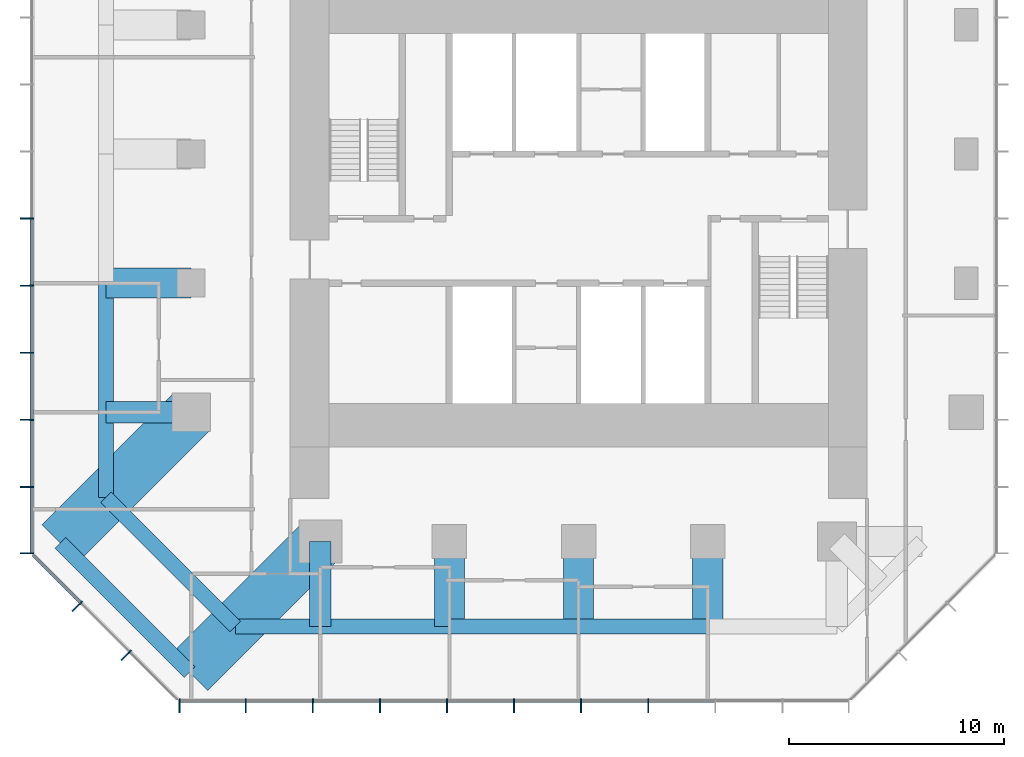
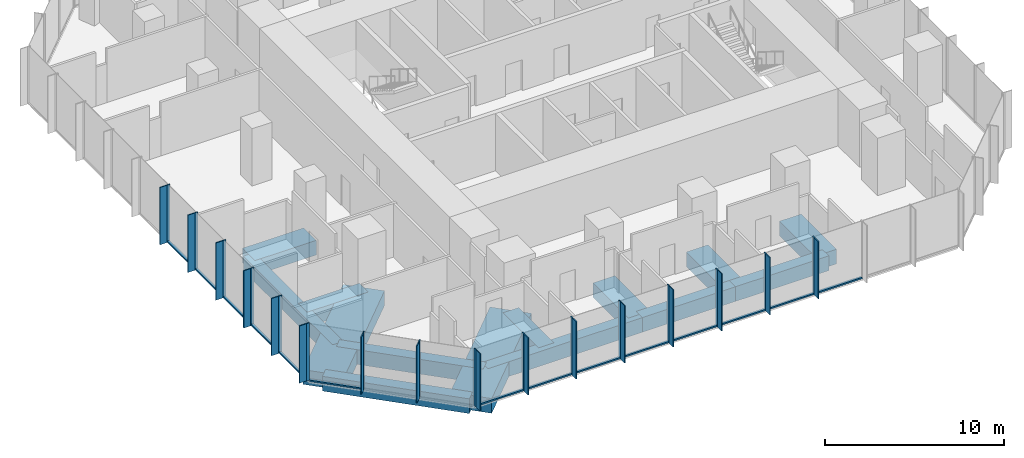
# One storey, part 2 of 11: 46 members, 14 beams, 3 elements without a shape of their own.
"""IFC4 building model written with IfcOpenShell, lengths in metres."""

from ifc_helpers import new_model, si_unit, direction, frame, origin, origin_2d, place, context, subcontext, project, spatial, rectangle, extrude, material, layer, layer_set, material_profile, profile_set, type_object, element, aggregate, save


model = new_model("IFC4")

# Units and contexts
model_context = context("Model", 3, precision=1e-05, world=origin(), true_north=direction((0.0, 1.0)))
body_context = subcontext(model_context, "Body", "Model", "MODEL_VIEW")
ifc_project = project(units=[si_unit("LENGTHUNIT", "METRE"), si_unit("AREAUNIT", "SQUARE_METRE"), si_unit("VOLUMEUNIT", "CUBIC_METRE"), si_unit("PLANEANGLEUNIT", "RADIAN"), si_unit("MASSUNIT", "GRAM", prefix="KILO")], contexts=[model_context])

# Site, building, storey
site_placement = place(None, origin())
site = spatial("IfcSite", under=ifc_project, at=site_placement, CompositionType="ELEMENT")
building_placement = place(site_placement, origin())
building = spatial("IfcBuilding", under=site, at=building_placement, Name="Highveld Stack Headquarters", CompositionType="ELEMENT")
storey_placement = place(building_placement, frame((0.0, 0.0, 224.0)))
storey = spatial("IfcBuildingStorey", under=building, at=storey_placement, Name="L55", CompositionType="ELEMENT", Elevation=224.0)

# Beams
ifc_material_1 = material(Name="Concrete C60/75", Category="concrete")
ifc_material_profile_1 = material_profile(ifc_material_1, rectangle(XDim=1.0, YDim=1.0, at=origin_2d()), Name="RC 1000x1000")
ifc_profile_set_1 = profile_set([ifc_material_profile_1], Name="Concrete C60/75")
beam_type_1 = type_object("IfcBeamType", Name="CANTILEVER RIB RC 1000x1000", PredefinedType="USERDEFINED", material=ifc_profile_set_1)
for number, where, z_axis, x_axis, name in (
    (1, (-12.0, -6.0, -0.75), (-1.0, 0.0, 0.0), (0.0, -1.0, 0.0), "Cantilever rib 4/D L55"),
    (2, (-6.0, -12.0, -0.75), (0.0, -1.0, 0.0), (1.0, 0.0, 0.0), "Cantilever rib 5/C L55"),
):
    element("IfcBeam", number, at=place(storey_placement, frame(where, z_axis=z_axis, x_axis=x_axis)), inside=storey, type_object=beam_type_1, Name=name, ObjectType="CANTILEVER RIB", PredefinedType="USERDEFINED", context=body_context, shape_type="SweptSolid", body=[
        extrude(rectangle(XDim=1.0, YDim=1.0, at=origin_2d()), origin(), (0.0, 0.0, 1.0), 3.949951171875),
    ])
ifc_material_2 = material(Name="Concrete C60/75", Category="concrete")
ifc_material_profile_2 = material_profile(ifc_material_2, rectangle(XDim=1.39990234375, YDim=1.0, at=origin_2d()), Name="RC 1400x1000")
ifc_profile_set_2 = profile_set([ifc_material_profile_2], Name="Concrete C60/75")
beam_type_2 = type_object("IfcBeamType", Name="CANTILEVER RIB RC 1400x1000", PredefinedType="USERDEFINED", material=ifc_profile_set_2)
for number, where, z_axis, x_axis, name in (
    (3, (-12.0, 0.0, -0.75), (-1.0, 0.0, 0.0), (0.0, -1.0, 0.0), "Cantilever rib 4/E L55"),
    (4, (0.0, -12.0, -0.75), (0.0, -1.0, 0.0), (1.0, 0.0, 0.0), "Cantilever rib 6/C L55"),
    (5, (6.0, -12.0, -0.75), (0.0, -1.0, 0.0), (1.0, 0.0, 0.0), "Cantilever rib 7/C L55"),
    (6, (12.0, -12.0, -0.75), (0.0, -1.0, 0.0), (1.0, 0.0, 0.0), "Cantilever rib 8/C L55"),
):
    element("IfcBeam", number, at=place(storey_placement, frame(where, z_axis=z_axis, x_axis=x_axis)), inside=storey, type_object=beam_type_2, Name=name, ObjectType="CANTILEVER RIB", PredefinedType="USERDEFINED", context=body_context, shape_type="SweptSolid", body=[
        extrude(rectangle(XDim=1.39990234375, YDim=1.0, at=origin_2d()), origin(), (0.0, 0.0, 1.0), 3.949951171875),
    ])
ifc_material_3 = material(Name="Concrete C60/75", Category="concrete")
ifc_material_profile_3 = material_profile(ifc_material_3, rectangle(XDim=2.39990234375, YDim=1.0, at=origin_2d()), Name="RC 2400x1000")
ifc_profile_set_3 = profile_set([ifc_material_profile_3], Name="Concrete C60/75")
beam_type_3 = type_object("IfcBeamType", Name="CANTILEVER RIB RC 2400x1000", PredefinedType="USERDEFINED", material=ifc_profile_set_3)
for number, where, z_axis, x_axis, name in (
    (7, (-12.0, -6.0, -0.75), (-0.707106781187, -0.707106781187, 0.0), (0.707106781187, -0.707106781187, 0.0), "Cantilever rib 4/D L55"),
    (8, (-6.0, -12.0, -0.75), (-0.707106781187, -0.707106781187, 0.0), (0.707106781187, -0.707106781187, 0.0), "Cantilever rib 5/C L55"),
):
    element("IfcBeam", number, at=place(storey_placement, frame(where, z_axis=z_axis, x_axis=x_axis)), inside=storey, type_object=beam_type_3, Name=name, ObjectType="CANTILEVER RIB", PredefinedType="USERDEFINED", context=body_context, shape_type="SweptSolid", body=[
        extrude(rectangle(XDim=2.39990234375, YDim=1.0, at=origin_2d()), origin(), (0.0, 0.0, 1.0), 8.585693359375),
    ])

# Curtain wall, members
ifc_material_4 = material(Name="Aluminium bronze anodised", Category="aluminium")
ifc_layer_1 = layer(ifc_material_4, 0.199951171875)
ifc_layer_set_1 = layer_set([ifc_layer_1], Name="Aluminium bronze anodised")
curtain_wall_type_1 = type_object("IfcCurtainWallType", Name="CW1 TOWER UNITISED CURTAIN WALL", PredefinedType="NOTDEFINED", material=ifc_layer_set_1)
curtain_wall_1_placement = place(storey_placement, origin())
curtain_wall_1 = element("IfcCurtainWall", 9, at=curtain_wall_1_placement, inside=storey, type_object=curtain_wall_type_1, Name="Curtain wall CW1 L55 S", PredefinedType="NOTDEFINED")
ifc_material_5 = material(Name="Aluminium bronze anodised", Category="aluminium")
ifc_material_profile_4 = material_profile(ifc_material_5, rectangle(XDim=0.449951171875, YDim=0.06005859375, at=origin_2d()), Name="FIN 450x60")
ifc_profile_set_4 = profile_set([ifc_material_profile_4], Name="Aluminium bronze anodised")
member_type_1 = type_object("IfcMemberType", Name="CW1 BRONZE FIN 450x60", PredefinedType="USERDEFINED", material=ifc_profile_set_4)
member_1_placement = place(storey_placement, frame((-12.54736328125, -19.72509765625, 0.0), z_axis=(0.0, 0.0, 1.0), x_axis=(0.0, 1.0, 0.0)))
member_1 = element("IfcMember", 10, at=member_1_placement, type_object=member_type_1, Name="CW1 fin L55 1", ObjectType="FIN", PredefinedType="USERDEFINED", context=body_context, shape_type="SweptSolid", body=[
    extrude(rectangle(XDim=0.449951171875, YDim=0.06005859375, at=origin_2d()), origin(), (0.0, 0.0, 1.0), 3.89990234375),
])
member_2_placement = place(storey_placement, frame((-9.4638671875, -19.72509765625, 0.0), z_axis=(0.0, 0.0, 1.0), x_axis=(0.0, 1.0, 0.0)))
member_2 = element("IfcMember", 11, at=member_2_placement, type_object=member_type_1, Name="CW1 fin L55 2", ObjectType="FIN", PredefinedType="USERDEFINED", context=body_context, shape_type="SweptSolid", body=[
    extrude(rectangle(XDim=0.449951171875, YDim=0.06005859375, at=origin_2d()), origin(), (0.0, 0.0, 1.0), 3.89990234375),
])
member_3_placement = place(storey_placement, frame((-6.347900390625, -19.72509765625, 0.0), z_axis=(0.0, 0.0, 1.0), x_axis=(0.0, 1.0, 0.0)))
member_3 = element("IfcMember", 12, at=member_3_placement, type_object=member_type_1, Name="CW1 fin L55 3", ObjectType="FIN", PredefinedType="USERDEFINED", context=body_context, shape_type="SweptSolid", body=[
    extrude(rectangle(XDim=0.449951171875, YDim=0.06005859375, at=origin_2d()), origin(), (0.0, 0.0, 1.0), 3.89990234375),
])
member_4_placement = place(storey_placement, frame((-3.23193359375, -19.72509765625, 0.0), z_axis=(0.0, 0.0, 1.0), x_axis=(0.0, 1.0, 0.0)))
member_4 = element("IfcMember", 13, at=member_4_placement, type_object=member_type_1, Name="CW1 fin L55 4", ObjectType="FIN", PredefinedType="USERDEFINED", context=body_context, shape_type="SweptSolid", body=[
    extrude(rectangle(XDim=0.449951171875, YDim=0.06005859375, at=origin_2d()), origin(), (0.0, 0.0, 1.0), 3.89990234375),
])
member_5_placement = place(storey_placement, frame((-0.115966796875, -19.72509765625, 0.0), z_axis=(0.0, 0.0, 1.0), x_axis=(0.0, 1.0, 0.0)))
member_5 = element("IfcMember", 14, at=member_5_placement, type_object=member_type_1, Name="CW1 fin L55 5", ObjectType="FIN", PredefinedType="USERDEFINED", context=body_context, shape_type="SweptSolid", body=[
    extrude(rectangle(XDim=0.449951171875, YDim=0.06005859375, at=origin_2d()), origin(), (0.0, 0.0, 1.0), 3.89990234375),
])
member_6_placement = place(storey_placement, frame((3.0, -19.72509765625, 0.0), z_axis=(0.0, 0.0, 1.0), x_axis=(0.0, 1.0, 0.0)))
member_6 = element("IfcMember", 15, at=member_6_placement, type_object=member_type_1, Name="CW1 fin L55 6", ObjectType="FIN", PredefinedType="USERDEFINED", context=body_context, shape_type="SweptSolid", body=[
    extrude(rectangle(XDim=0.449951171875, YDim=0.06005859375, at=origin_2d()), origin(), (0.0, 0.0, 1.0), 3.89990234375),
])
member_7_placement = place(storey_placement, frame((6.115966796875, -19.72509765625, 0.0), z_axis=(0.0, 0.0, 1.0), x_axis=(0.0, 1.0, 0.0)))
member_7 = element("IfcMember", 16, at=member_7_placement, type_object=member_type_1, Name="CW1 fin L55 7", ObjectType="FIN", PredefinedType="USERDEFINED", context=body_context, shape_type="SweptSolid", body=[
    extrude(rectangle(XDim=0.449951171875, YDim=0.06005859375, at=origin_2d()), origin(), (0.0, 0.0, 1.0), 3.89990234375),
])
member_8_placement = place(storey_placement, frame((9.23193359375, -19.72509765625, 0.0), z_axis=(0.0, 0.0, 1.0), x_axis=(0.0, 1.0, 0.0)))
member_8 = element("IfcMember", 17, at=member_8_placement, type_object=member_type_1, Name="CW1 fin L55 8", ObjectType="FIN", PredefinedType="USERDEFINED", context=body_context, shape_type="SweptSolid", body=[
    extrude(rectangle(XDim=0.449951171875, YDim=0.06005859375, at=origin_2d()), origin(), (0.0, 0.0, 1.0), 3.89990234375),
])

curtain_wall_2_placement = place(storey_placement, origin())
curtain_wall_2 = element("IfcCurtainWall", 18, at=curtain_wall_2_placement, inside=storey, type_object=curtain_wall_type_1, Name="Curtain wall CW1 L55 W", PredefinedType="NOTDEFINED")
member_9_placement = place(storey_placement, frame((-19.72509765625, 3.0, 0.0), z_axis=(0.0, 0.0, 1.0), x_axis=(1.0, 0.0, 0.0)))
member_9 = element("IfcMember", 19, at=member_9_placement, type_object=member_type_1, Name="CW1 fin L55 6", ObjectType="FIN", PredefinedType="USERDEFINED", context=body_context, shape_type="SweptSolid", body=[
    extrude(rectangle(XDim=0.449951171875, YDim=0.06005859375, at=origin_2d()), origin(), (0.0, 0.0, 1.0), 3.89990234375),
])
member_10_placement = place(storey_placement, frame((-19.72509765625, -0.115966796875, 0.0), z_axis=(0.0, 0.0, 1.0), x_axis=(1.0, 0.0, 0.0)))
member_10 = element("IfcMember", 20, at=member_10_placement, type_object=member_type_1, Name="CW1 fin L55 7", ObjectType="FIN", PredefinedType="USERDEFINED", context=body_context, shape_type="SweptSolid", body=[
    extrude(rectangle(XDim=0.449951171875, YDim=0.06005859375, at=origin_2d()), origin(), (0.0, 0.0, 1.0), 3.89990234375),
])
member_11_placement = place(storey_placement, frame((-19.72509765625, -3.23193359375, 0.0), z_axis=(0.0, 0.0, 1.0), x_axis=(1.0, 0.0, 0.0)))
member_11 = element("IfcMember", 21, at=member_11_placement, type_object=member_type_1, Name="CW1 fin L55 8", ObjectType="FIN", PredefinedType="USERDEFINED", context=body_context, shape_type="SweptSolid", body=[
    extrude(rectangle(XDim=0.449951171875, YDim=0.06005859375, at=origin_2d()), origin(), (0.0, 0.0, 1.0), 3.89990234375),
])
member_12_placement = place(storey_placement, frame((-19.72509765625, -6.347900390625, 0.0), z_axis=(0.0, 0.0, 1.0), x_axis=(1.0, 0.0, 0.0)))
member_12 = element("IfcMember", 22, at=member_12_placement, type_object=member_type_1, Name="CW1 fin L55 9", ObjectType="FIN", PredefinedType="USERDEFINED", context=body_context, shape_type="SweptSolid", body=[
    extrude(rectangle(XDim=0.449951171875, YDim=0.06005859375, at=origin_2d()), origin(), (0.0, 0.0, 1.0), 3.89990234375),
])
member_13_placement = place(storey_placement, frame((-19.72509765625, -9.4638671875, 0.0), z_axis=(0.0, 0.0, 1.0), x_axis=(1.0, 0.0, 0.0)))
member_13 = element("IfcMember", 23, at=member_13_placement, type_object=member_type_1, Name="CW1 fin L55 10", ObjectType="FIN", PredefinedType="USERDEFINED", context=body_context, shape_type="SweptSolid", body=[
    extrude(rectangle(XDim=0.449951171875, YDim=0.06005859375, at=origin_2d()), origin(), (0.0, 0.0, 1.0), 3.89990234375),
])
member_14_placement = place(storey_placement, frame((-19.72509765625, -12.54736328125, 0.0), z_axis=(0.0, 0.0, 1.0), x_axis=(1.0, 0.0, 0.0)))
member_14 = element("IfcMember", 24, at=member_14_placement, type_object=member_type_1, Name="CW1 fin L55 11", ObjectType="FIN", PredefinedType="USERDEFINED", context=body_context, shape_type="SweptSolid", body=[
    extrude(rectangle(XDim=0.449951171875, YDim=0.06005859375, at=origin_2d()), origin(), (0.0, 0.0, 1.0), 3.89990234375),
])

# Member
ifc_material_6 = material(Name="Aluminium bronze anodised", Category="aluminium")
ifc_material_profile_5 = material_profile(ifc_material_6, rectangle(XDim=0.199951171875, YDim=0.06494140625, at=origin_2d()), Name="CW1 MULLION 65x200")
ifc_profile_set_5 = profile_set([ifc_material_profile_5], Name="Aluminium bronze anodised")
member_type_2 = type_object("IfcMemberType", Name="CW1 MULLION 65x200", PredefinedType="MULLION", material=ifc_profile_set_5)
member_15_placement = place(storey_placement, frame((-12.54736328125, -19.39990234375, 0.0), z_axis=(0.0, 0.0, 1.0), x_axis=(0.0, 1.0, 0.0)))
member_15 = element("IfcMember", 25, at=member_15_placement, type_object=member_type_2, Name="CW1 mullion L55 1", PredefinedType="MULLION", context=body_context, shape_type="SweptSolid", body=[
    extrude(rectangle(XDim=0.199951171875, YDim=0.06494140625, at=origin_2d()), origin(), (0.0, 0.0, 1.0), 3.89990234375),
])

member_16_placement = place(storey_placement, frame((-9.4638671875, -19.39990234375, 0.0), z_axis=(0.0, 0.0, 1.0), x_axis=(0.0, 1.0, 0.0)))
member_16 = element("IfcMember", 26, at=member_16_placement, type_object=member_type_2, Name="CW1 mullion L55 2", PredefinedType="MULLION", context=body_context, shape_type="SweptSolid", body=[
    extrude(rectangle(XDim=0.199951171875, YDim=0.06494140625, at=origin_2d()), origin(), (0.0, 0.0, 1.0), 3.89990234375),
])

member_17_placement = place(storey_placement, frame((-6.347900390625, -19.39990234375, 0.0), z_axis=(0.0, 0.0, 1.0), x_axis=(0.0, 1.0, 0.0)))
member_17 = element("IfcMember", 27, at=member_17_placement, type_object=member_type_2, Name="CW1 mullion L55 3", PredefinedType="MULLION", context=body_context, shape_type="SweptSolid", body=[
    extrude(rectangle(XDim=0.199951171875, YDim=0.06494140625, at=origin_2d()), origin(), (0.0, 0.0, 1.0), 3.89990234375),
])

member_18_placement = place(storey_placement, frame((-3.23193359375, -19.39990234375, 0.0), z_axis=(0.0, 0.0, 1.0), x_axis=(0.0, 1.0, 0.0)))
member_18 = element("IfcMember", 28, at=member_18_placement, type_object=member_type_2, Name="CW1 mullion L55 4", PredefinedType="MULLION", context=body_context, shape_type="SweptSolid", body=[
    extrude(rectangle(XDim=0.199951171875, YDim=0.06494140625, at=origin_2d()), origin(), (0.0, 0.0, 1.0), 3.89990234375),
])

member_19_placement = place(storey_placement, frame((-0.115966796875, -19.39990234375, 0.0), z_axis=(0.0, 0.0, 1.0), x_axis=(0.0, 1.0, 0.0)))
member_19 = element("IfcMember", 29, at=member_19_placement, type_object=member_type_2, Name="CW1 mullion L55 5", PredefinedType="MULLION", context=body_context, shape_type="SweptSolid", body=[
    extrude(rectangle(XDim=0.199951171875, YDim=0.06494140625, at=origin_2d()), origin(), (0.0, 0.0, 1.0), 3.89990234375),
])

member_20_placement = place(storey_placement, frame((3.0, -19.39990234375, 0.0), z_axis=(0.0, 0.0, 1.0), x_axis=(0.0, 1.0, 0.0)))
member_20 = element("IfcMember", 30, at=member_20_placement, type_object=member_type_2, Name="CW1 mullion L55 6", PredefinedType="MULLION", context=body_context, shape_type="SweptSolid", body=[
    extrude(rectangle(XDim=0.199951171875, YDim=0.06494140625, at=origin_2d()), origin(), (0.0, 0.0, 1.0), 3.89990234375),
])

member_21_placement = place(storey_placement, frame((6.115966796875, -19.39990234375, 0.0), z_axis=(0.0, 0.0, 1.0), x_axis=(0.0, 1.0, 0.0)))
member_21 = element("IfcMember", 31, at=member_21_placement, type_object=member_type_2, Name="CW1 mullion L55 7", PredefinedType="MULLION", context=body_context, shape_type="SweptSolid", body=[
    extrude(rectangle(XDim=0.199951171875, YDim=0.06494140625, at=origin_2d()), origin(), (0.0, 0.0, 1.0), 3.89990234375),
])

member_22_placement = place(storey_placement, frame((9.23193359375, -19.39990234375, 0.0), z_axis=(0.0, 0.0, 1.0), x_axis=(0.0, 1.0, 0.0)))
member_22 = element("IfcMember", 32, at=member_22_placement, type_object=member_type_2, Name="CW1 mullion L55 8", PredefinedType="MULLION", context=body_context, shape_type="SweptSolid", body=[
    extrude(rectangle(XDim=0.199951171875, YDim=0.06494140625, at=origin_2d()), origin(), (0.0, 0.0, 1.0), 3.89990234375),
])

member_23_placement = place(storey_placement, frame((-19.39990234375, 3.0, 0.0), z_axis=(0.0, 0.0, 1.0), x_axis=(1.0, 0.0, 0.0)))
member_23 = element("IfcMember", 33, at=member_23_placement, type_object=member_type_2, Name="CW1 mullion L55 6", PredefinedType="MULLION", context=body_context, shape_type="SweptSolid", body=[
    extrude(rectangle(XDim=0.199951171875, YDim=0.06494140625, at=origin_2d()), origin(), (0.0, 0.0, 1.0), 3.89990234375),
])

member_24_placement = place(storey_placement, frame((-19.39990234375, -0.115966796875, 0.0), z_axis=(0.0, 0.0, 1.0), x_axis=(1.0, 0.0, 0.0)))
member_24 = element("IfcMember", 34, at=member_24_placement, type_object=member_type_2, Name="CW1 mullion L55 7", PredefinedType="MULLION", context=body_context, shape_type="SweptSolid", body=[
    extrude(rectangle(XDim=0.199951171875, YDim=0.06494140625, at=origin_2d()), origin(), (0.0, 0.0, 1.0), 3.89990234375),
])

member_25_placement = place(storey_placement, frame((-19.39990234375, -3.23193359375, 0.0), z_axis=(0.0, 0.0, 1.0), x_axis=(1.0, 0.0, 0.0)))
member_25 = element("IfcMember", 35, at=member_25_placement, type_object=member_type_2, Name="CW1 mullion L55 8", PredefinedType="MULLION", context=body_context, shape_type="SweptSolid", body=[
    extrude(rectangle(XDim=0.199951171875, YDim=0.06494140625, at=origin_2d()), origin(), (0.0, 0.0, 1.0), 3.89990234375),
])

member_26_placement = place(storey_placement, frame((-19.39990234375, -6.347900390625, 0.0), z_axis=(0.0, 0.0, 1.0), x_axis=(1.0, 0.0, 0.0)))
member_26 = element("IfcMember", 36, at=member_26_placement, type_object=member_type_2, Name="CW1 mullion L55 9", PredefinedType="MULLION", context=body_context, shape_type="SweptSolid", body=[
    extrude(rectangle(XDim=0.199951171875, YDim=0.06494140625, at=origin_2d()), origin(), (0.0, 0.0, 1.0), 3.89990234375),
])

member_27_placement = place(storey_placement, frame((-19.39990234375, -9.4638671875, 0.0), z_axis=(0.0, 0.0, 1.0), x_axis=(1.0, 0.0, 0.0)))
member_27 = element("IfcMember", 37, at=member_27_placement, type_object=member_type_2, Name="CW1 mullion L55 10", PredefinedType="MULLION", context=body_context, shape_type="SweptSolid", body=[
    extrude(rectangle(XDim=0.199951171875, YDim=0.06494140625, at=origin_2d()), origin(), (0.0, 0.0, 1.0), 3.89990234375),
])

member_28_placement = place(storey_placement, frame((-19.39990234375, -12.54736328125, 0.0), z_axis=(0.0, 0.0, 1.0), x_axis=(1.0, 0.0, 0.0)))
member_28 = element("IfcMember", 38, at=member_28_placement, type_object=member_type_2, Name="CW1 mullion L55 11", PredefinedType="MULLION", context=body_context, shape_type="SweptSolid", body=[
    extrude(rectangle(XDim=0.199951171875, YDim=0.06494140625, at=origin_2d()), origin(), (0.0, 0.0, 1.0), 3.89990234375),
])

ifc_material_7 = material(Name="Aluminium bronze anodised", Category="aluminium")
ifc_material_profile_6 = material_profile(ifc_material_7, rectangle(XDim=0.14990234375, YDim=0.10009765625, at=origin_2d()), Name="CW1 TRANSOM 150x100")
ifc_profile_set_6 = profile_set([ifc_material_profile_6], Name="Aluminium bronze anodised")
member_type_3 = type_object("IfcMemberType", Name="CW1 STACK TRANSOM 150x100", PredefinedType="USERDEFINED", material=ifc_profile_set_6)
member_29_placement = place(storey_placement, frame((-12.514892578125, -19.39990234375, 0.050048828125), z_axis=(1.0, 0.0, 0.0), x_axis=(0.0, 1.0, 0.0)))
member_29 = element("IfcMember", 39, at=member_29_placement, type_object=member_type_3, Name="CW1 transom L55 1.1", ObjectType="TRANSOM", PredefinedType="USERDEFINED", context=body_context, shape_type="SweptSolid", body=[
    extrude(rectangle(XDim=0.14990234375, YDim=0.10009765625, at=origin_2d()), origin(), (0.0, 0.0, 1.0), 3.0185546875),
])

member_30_placement = place(storey_placement, frame((-9.431396484375, -19.39990234375, 0.050048828125), z_axis=(1.0, 0.0, 0.0), x_axis=(0.0, 1.0, 0.0)))
member_30 = element("IfcMember", 40, at=member_30_placement, type_object=member_type_3, Name="CW1 transom L55 2.1", ObjectType="TRANSOM", PredefinedType="USERDEFINED", context=body_context, shape_type="SweptSolid", body=[
    extrude(rectangle(XDim=0.14990234375, YDim=0.10009765625, at=origin_2d()), origin(), (0.0, 0.0, 1.0), 3.051025390625),
])

member_31_placement = place(storey_placement, frame((-6.3154296875, -19.39990234375, 0.050048828125), z_axis=(1.0, 0.0, 0.0), x_axis=(0.0, 1.0, 0.0)))
member_31 = element("IfcMember", 41, at=member_31_placement, type_object=member_type_3, Name="CW1 transom L55 3.1", ObjectType="TRANSOM", PredefinedType="USERDEFINED", context=body_context, shape_type="SweptSolid", body=[
    extrude(rectangle(XDim=0.14990234375, YDim=0.10009765625, at=origin_2d()), origin(), (0.0, 0.0, 1.0), 3.051025390625),
])

member_32_placement = place(storey_placement, frame((-3.199462890625, -19.39990234375, 0.050048828125), z_axis=(1.0, 0.0, 0.0), x_axis=(0.0, 1.0, 0.0)))
member_32 = element("IfcMember", 42, at=member_32_placement, type_object=member_type_3, Name="CW1 transom L55 4.1", ObjectType="TRANSOM", PredefinedType="USERDEFINED", context=body_context, shape_type="SweptSolid", body=[
    extrude(rectangle(XDim=0.14990234375, YDim=0.10009765625, at=origin_2d()), origin(), (0.0, 0.0, 1.0), 3.051025390625),
])

member_33_placement = place(storey_placement, frame((-0.08349609375, -19.39990234375, 0.050048828125), z_axis=(1.0, 0.0, 0.0), x_axis=(0.0, 1.0, 0.0)))
member_33 = element("IfcMember", 43, at=member_33_placement, type_object=member_type_3, Name="CW1 transom L55 5.1", ObjectType="TRANSOM", PredefinedType="USERDEFINED", context=body_context, shape_type="SweptSolid", body=[
    extrude(rectangle(XDim=0.14990234375, YDim=0.10009765625, at=origin_2d()), origin(), (0.0, 0.0, 1.0), 3.051025390625),
])

member_34_placement = place(storey_placement, frame((3.032470703125, -19.39990234375, 0.050048828125), z_axis=(1.0, 0.0, 0.0), x_axis=(0.0, 1.0, 0.0)))
member_34 = element("IfcMember", 44, at=member_34_placement, type_object=member_type_3, Name="CW1 transom L55 6.1", ObjectType="TRANSOM", PredefinedType="USERDEFINED", context=body_context, shape_type="SweptSolid", body=[
    extrude(rectangle(XDim=0.14990234375, YDim=0.10009765625, at=origin_2d()), origin(), (0.0, 0.0, 1.0), 3.051025390625),
])

member_35_placement = place(storey_placement, frame((6.1484375, -19.39990234375, 0.050048828125), z_axis=(1.0, 0.0, 0.0), x_axis=(0.0, 1.0, 0.0)))
member_35 = element("IfcMember", 45, at=member_35_placement, type_object=member_type_3, Name="CW1 transom L55 7.1", ObjectType="TRANSOM", PredefinedType="USERDEFINED", context=body_context, shape_type="SweptSolid", body=[
    extrude(rectangle(XDim=0.14990234375, YDim=0.10009765625, at=origin_2d()), origin(), (0.0, 0.0, 1.0), 3.051025390625),
])

member_36_placement = place(storey_placement, frame((9.264404296875, -19.39990234375, 0.050048828125), z_axis=(1.0, 0.0, 0.0), x_axis=(0.0, 1.0, 0.0)))
member_36 = element("IfcMember", 46, at=member_36_placement, type_object=member_type_3, Name="CW1 transom L55 8.1", ObjectType="TRANSOM", PredefinedType="USERDEFINED", context=body_context, shape_type="SweptSolid", body=[
    extrude(rectangle(XDim=0.14990234375, YDim=0.10009765625, at=origin_2d()), origin(), (0.0, 0.0, 1.0), 3.051025390625),
])

aggregate(curtain_wall_1, [member_15, member_1, member_16, member_2, member_17, member_3, member_18, member_4, member_19, member_5, member_20, member_6, member_21, member_7, member_22, member_8, member_29, member_30, member_31, member_32, member_33, member_34, member_35, member_36])

member_37_placement = place(storey_placement, frame((-19.39990234375, 2.967529296875, 0.050048828125), z_axis=(0.0, -1.0, 0.0), x_axis=(1.0, 0.0, 0.0)))
member_37 = element("IfcMember", 47, at=member_37_placement, type_object=member_type_3, Name="CW1 transom L55 6.1", ObjectType="TRANSOM", PredefinedType="USERDEFINED", context=body_context, shape_type="SweptSolid", body=[
    extrude(rectangle(XDim=0.14990234375, YDim=0.10009765625, at=origin_2d()), origin(), (0.0, 0.0, 1.0), 3.051025390625),
])

member_38_placement = place(storey_placement, frame((-19.39990234375, -0.1484375, 0.050048828125), z_axis=(0.0, -1.0, 0.0), x_axis=(1.0, 0.0, 0.0)))
member_38 = element("IfcMember", 48, at=member_38_placement, type_object=member_type_3, Name="CW1 transom L55 7.1", ObjectType="TRANSOM", PredefinedType="USERDEFINED", context=body_context, shape_type="SweptSolid", body=[
    extrude(rectangle(XDim=0.14990234375, YDim=0.10009765625, at=origin_2d()), origin(), (0.0, 0.0, 1.0), 3.051025390625),
])

member_39_placement = place(storey_placement, frame((-19.39990234375, -3.264404296875, 0.050048828125), z_axis=(0.0, -1.0, 0.0), x_axis=(1.0, 0.0, 0.0)))
member_39 = element("IfcMember", 49, at=member_39_placement, type_object=member_type_3, Name="CW1 transom L55 8.1", ObjectType="TRANSOM", PredefinedType="USERDEFINED", context=body_context, shape_type="SweptSolid", body=[
    extrude(rectangle(XDim=0.14990234375, YDim=0.10009765625, at=origin_2d()), origin(), (0.0, 0.0, 1.0), 3.051025390625),
])

member_40_placement = place(storey_placement, frame((-19.39990234375, -6.38037109375, 0.050048828125), z_axis=(0.0, -1.0, 0.0), x_axis=(1.0, 0.0, 0.0)))
member_40 = element("IfcMember", 50, at=member_40_placement, type_object=member_type_3, Name="CW1 transom L55 9.1", ObjectType="TRANSOM", PredefinedType="USERDEFINED", context=body_context, shape_type="SweptSolid", body=[
    extrude(rectangle(XDim=0.14990234375, YDim=0.10009765625, at=origin_2d()), origin(), (0.0, 0.0, 1.0), 3.051025390625),
])

member_41_placement = place(storey_placement, frame((-19.39990234375, -9.496337890625, 0.050048828125), z_axis=(0.0, -1.0, 0.0), x_axis=(1.0, 0.0, 0.0)))
member_41 = element("IfcMember", 51, at=member_41_placement, type_object=member_type_3, Name="CW1 transom L55 10.1", ObjectType="TRANSOM", PredefinedType="USERDEFINED", context=body_context, shape_type="SweptSolid", body=[
    extrude(rectangle(XDim=0.14990234375, YDim=0.10009765625, at=origin_2d()), origin(), (0.0, 0.0, 1.0), 3.0185546875),
])

aggregate(curtain_wall_2, [member_23, member_9, member_24, member_10, member_25, member_11, member_26, member_12, member_27, member_13, member_28, member_14, member_37, member_38, member_39, member_40, member_41])

# Curtain wall, members
ifc_material_8 = material(Name="Aluminium bronze anodised", Category="aluminium")
ifc_layer_2 = layer(ifc_material_8, 0.199951171875)
ifc_layer_set_2 = layer_set([ifc_layer_2], Name="Aluminium bronze anodised")
curtain_wall_type_2 = type_object("IfcCurtainWallType", Name="CW2 TOWER CHAMFER UNITISED CURTAIN WALL", PredefinedType="NOTDEFINED", material=ifc_layer_set_2)
curtain_wall_3_placement = place(storey_placement, origin())
curtain_wall_3 = element("IfcCurtainWall", 52, at=curtain_wall_3_placement, inside=storey, type_object=curtain_wall_type_2, Name="Curtain wall CW2 L55 SW", PredefinedType="NOTDEFINED")
ifc_material_9 = material(Name="Aluminium bronze anodised", Category="aluminium")
ifc_material_profile_7 = material_profile(ifc_material_9, rectangle(XDim=0.449951171875, YDim=0.06005859375, at=origin_2d()), Name="FIN 450x60")
ifc_profile_set_7 = profile_set([ifc_material_profile_7], Name="Aluminium bronze anodised")
member_type_4 = type_object("IfcMemberType", Name="CW2 BRONZE FIN 450x60", PredefinedType="USERDEFINED", material=ifc_profile_set_7)
member_42_placement = place(storey_placement, frame((-17.3564453125, -15.0830078125, 0.0), z_axis=(0.0, 0.0, 1.0), x_axis=(0.707106781187, 0.707106781187, 0.0)))
member_42 = element("IfcMember", 53, at=member_42_placement, type_object=member_type_4, Name="CW2 fin L55 1", ObjectType="FIN", PredefinedType="USERDEFINED", context=body_context, shape_type="SweptSolid", body=[
    extrude(rectangle(XDim=0.449951171875, YDim=0.06005859375, at=origin_2d()), origin(), (0.0, 0.0, 1.0), 3.89990234375),
])
member_43_placement = place(storey_placement, frame((-15.0830078125, -17.3564453125, 0.0), z_axis=(0.0, 0.0, 1.0), x_axis=(0.707106781187, 0.707106781187, 0.0)))
member_43 = element("IfcMember", 54, at=member_43_placement, type_object=member_type_4, Name="CW2 fin L55 2", ObjectType="FIN", PredefinedType="USERDEFINED", context=body_context, shape_type="SweptSolid", body=[
    extrude(rectangle(XDim=0.449951171875, YDim=0.06005859375, at=origin_2d()), origin(), (0.0, 0.0, 1.0), 3.89990234375),
])
ifc_material_10 = material(Name="Aluminium bronze anodised", Category="aluminium")
ifc_material_profile_8 = material_profile(ifc_material_10, rectangle(XDim=0.199951171875, YDim=0.06494140625, at=origin_2d()), Name="CW2 MULLION 65x200")
ifc_profile_set_8 = profile_set([ifc_material_profile_8], Name="Aluminium bronze anodised")
member_type_5 = type_object("IfcMemberType", Name="CW2 MULLION 65x200", PredefinedType="MULLION", material=ifc_profile_set_8)
member_44_placement = place(storey_placement, frame((-17.126708984375, -14.853271484375, 0.0), z_axis=(0.0, 0.0, 1.0), x_axis=(0.707106781187, 0.707106781187, 0.0)))
member_44 = element("IfcMember", 55, at=member_44_placement, type_object=member_type_5, Name="CW2 mullion L55 1", PredefinedType="MULLION", context=body_context, shape_type="SweptSolid", body=[
    extrude(rectangle(XDim=0.199951171875, YDim=0.06494140625, at=origin_2d()), origin(), (0.0, 0.0, 1.0), 3.89990234375),
])
member_45_placement = place(storey_placement, frame((-14.853271484375, -17.126708984375, 0.0), z_axis=(0.0, 0.0, 1.0), x_axis=(0.707106781187, 0.707106781187, 0.0)))
member_45 = element("IfcMember", 56, at=member_45_placement, type_object=member_type_5, Name="CW2 mullion L55 2", PredefinedType="MULLION", context=body_context, shape_type="SweptSolid", body=[
    extrude(rectangle(XDim=0.199951171875, YDim=0.06494140625, at=origin_2d()), origin(), (0.0, 0.0, 1.0), 3.89990234375),
])
ifc_material_11 = material(Name="Aluminium bronze anodised", Category="aluminium")
ifc_material_profile_9 = material_profile(ifc_material_11, rectangle(XDim=0.14990234375, YDim=0.10009765625, at=origin_2d()), Name="CW2 TRANSOM 150x100")
ifc_profile_set_9 = profile_set([ifc_material_profile_9], Name="Aluminium bronze anodised")
member_type_6 = type_object("IfcMemberType", Name="CW2 STACK TRANSOM 150x100", PredefinedType="USERDEFINED", material=ifc_profile_set_9)
member_46_placement = place(storey_placement, frame((-19.329345703125, -12.650634765625, 0.050048828125), z_axis=(0.707106781187, -0.707106781187, 0.0), x_axis=(0.707106781187, 0.707106781187, 0.0)))
member_46 = element("IfcMember", 57, at=member_46_placement, type_object=member_type_6, Name="CW2 transom L55 1.1", ObjectType="TRANSOM", PredefinedType="USERDEFINED", context=body_context, shape_type="SweptSolid", body=[
    extrude(rectangle(XDim=0.14990234375, YDim=0.10009765625, at=origin_2d()), origin(), (0.0, 0.0, 1.0), 3.08251953125),
])
aggregate(curtain_wall_3, [member_44, member_42, member_45, member_43, member_46])

# Beams
ifc_material_12 = material(Name="Concrete C60/75", Category="concrete")
ifc_material_profile_10 = material_profile(ifc_material_12, rectangle(XDim=0.699951171875, YDim=1.0, at=origin_2d()), Name="RC 700x1000")
ifc_profile_set_10 = profile_set([ifc_material_profile_10], Name="Concrete C60/75")
beam_type_4 = type_object("IfcBeamType", Name="RIB TIP BEAM RC 700x1000", PredefinedType="SPANDREL", material=ifc_profile_set_10)
for number, where, z_axis, x_axis, name in (
    (58, (-15.949951171875, -9.949951171875, -0.75), (0.0, 1.0, 0.0), (-1.0, 0.0, 0.0), "Rib tip beam 4/D to 4/E L55"),
    (59, (-9.949951171875, -15.949951171875, -0.75), (1.0, 0.0, 0.0), (0.0, 1.0, 0.0), "Rib tip beam 5/C to 6/C L55"),
):
    element("IfcBeam", number, at=place(storey_placement, frame(where, z_axis=z_axis, x_axis=x_axis)), inside=storey, type_object=beam_type_4, Name=name, PredefinedType="SPANDREL", context=body_context, shape_type="SweptSolid", body=[
        extrude(rectangle(XDim=0.699951171875, YDim=1.0, at=origin_2d()), origin(), (0.0, 0.0, 1.0), 9.949951171875),
    ])
for number, where, z_axis, x_axis, name in (
    (60, (0.0, -15.949951171875, -0.75), (1.0, 0.0, 0.0), (0.0, 1.0, 0.0), "Rib tip beam 6/C to 7/C L55"),
    (61, (6.0, -15.949951171875, -0.75), (1.0, 0.0, 0.0), (0.0, 1.0, 0.0), "Rib tip beam 7/C to 8/C L55"),
):
    element("IfcBeam", number, at=place(storey_placement, frame(where, z_axis=z_axis, x_axis=x_axis)), inside=storey, type_object=beam_type_4, Name=name, PredefinedType="SPANDREL", context=body_context, shape_type="SweptSolid", body=[
        extrude(rectangle(XDim=0.699951171875, YDim=1.0, at=origin_2d()), origin(), (0.0, 0.0, 1.0), 6.0),
    ])
for number, where, z_axis, x_axis, name in (
    (62, (-15.949951171875, -9.949951171875, -0.75), (0.707106781187, -0.707106781187, 0.0), (0.707106781187, 0.707106781187, 0.0), "Rib tip beam 4/D to 5/C chamfer L55"),
    (63, (-18.071044921875, -12.071044921875, -0.75), (0.707106781187, -0.707106781187, 0.0), (0.707106781187, 0.707106781187, 0.0), "Rib tip beam 4/D to 5/C chamfer edge L55"),
):
    element("IfcBeam", number, at=place(storey_placement, frame(where, z_axis=z_axis, x_axis=x_axis)), inside=storey, type_object=beam_type_4, Name=name, PredefinedType="SPANDREL", context=body_context, shape_type="SweptSolid", body=[
        extrude(rectangle(XDim=0.699951171875, YDim=1.0, at=origin_2d()), origin(), (0.0, 0.0, 1.0), 8.4853515625),
    ])

save(model, "model.ifc")
